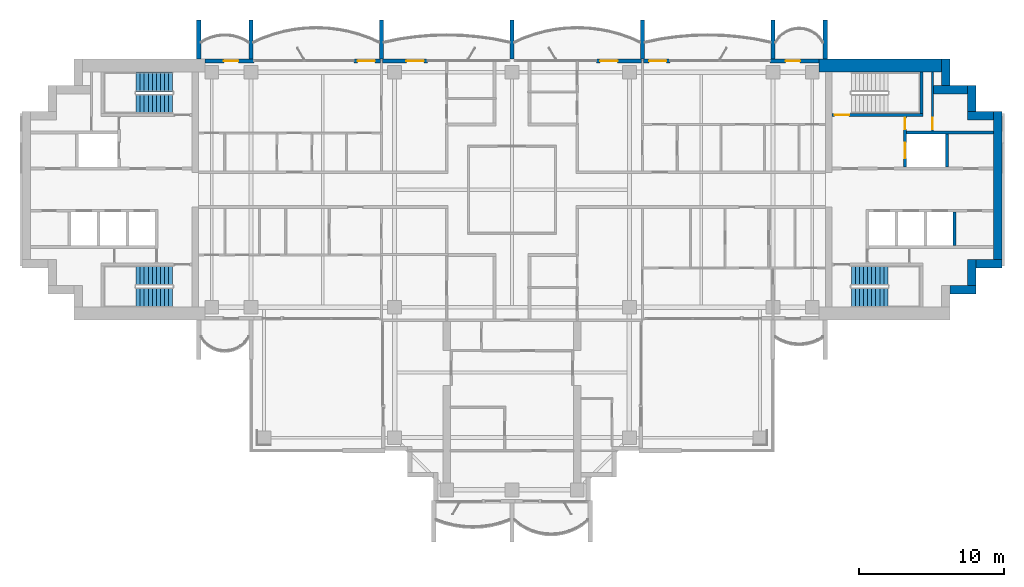
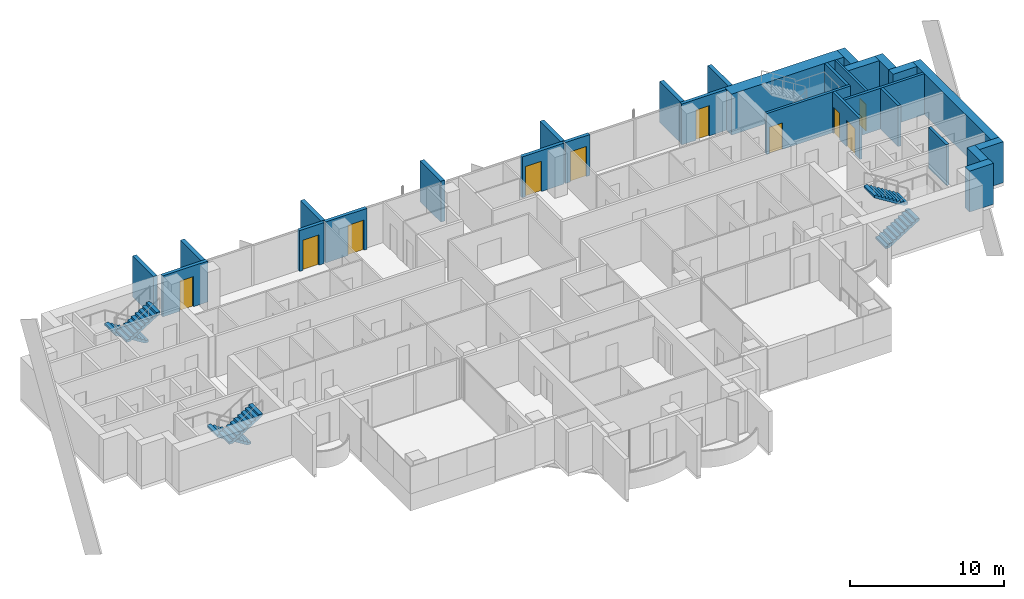
# One storey, part 13 of 18: 29 walls, 10 doors, 6 stair flights, 10 openings, 3 elements without a shape of their own.
"""IFC4 building model written with IfcOpenShell, lengths in metres."""

from ifc_helpers import new_model, si_unit, direction, frame, frame_2d, origin, place, context, subcontext, project, spatial, polyline, rectangle, outline, extrude, material, layer, layer_set, type_object, element, fill, aggregate, save


model = new_model("IFC4")

# Units and contexts
model_context = context("Model", 3, precision=1e-05, world=origin(), true_north=direction((0.0, 1.0)))
body_context = subcontext(model_context, "Body", "Model", "MODEL_VIEW")
ifc_project = project(units=[si_unit("LENGTHUNIT", "METRE"), si_unit("AREAUNIT", "SQUARE_METRE"), si_unit("VOLUMEUNIT", "CUBIC_METRE"), si_unit("PLANEANGLEUNIT", "RADIAN"), si_unit("MASSUNIT", "GRAM", prefix="KILO")], contexts=[model_context])

# Site, building, storey
site_placement = place(None, origin())
site = spatial("IfcSite", under=ifc_project, at=site_placement, CompositionType="ELEMENT")
building_placement = place(site_placement, origin())
building = spatial("IfcBuilding", under=site, at=building_placement, Name="Perihelion Cross Residences", CompositionType="ELEMENT")
storey_placement = place(building_placement, frame((0.0, 0.0, 215.60009765625)))
storey = spatial("IfcBuildingStorey", under=building, at=storey_placement, Name="L54", CompositionType="ELEMENT", Elevation=215.60009765625)

# Wall, opening, door
ifc_material_1 = material(Name="Concrete C30/37, bronze-clad", Category="concrete")
ifc_layer_1 = layer(ifc_material_1, 0.25)
ifc_layer_set_1 = layer_set([ifc_layer_1], Name="Bronze-clad pier wall 250")
wall_type_1 = type_object("IfcWallType", Name="Bronze-clad pier wall 250", PredefinedType="SOLIDWALL", material=ifc_layer_set_1)
wall_1_placement = place(storey_placement, frame((21.175048828125, 8.875, 0.0), z_axis=(0.0, 0.0, 1.0), x_axis=(-1.0, 0.0, 0.0)))
wall_1 = element("IfcWall", 1, at=wall_1_placement, inside=storey, type_object=wall_type_1, Name="Wall FW1 L54 east side north bay 1 pier", PredefinedType="SOLIDWALL", context=body_context, shape_type="SweptSolid", body=[
    extrude(rectangle(XDim=3.375, YDim=0.25, at=frame_2d((1.6875, 0.0))), origin(), (0.0, 0.0, 1.0), 3.25),
])
opening_1_placement = place(wall_1_placement, frame((1.300048828125, 0.0, 0.0)))
opening_1 = element("IfcOpeningElement", 2, at=opening_1_placement, cuts=wall_1, Name="Opening L54.E01", PredefinedType="OPENING", context=body_context, shape_type="SweptSolid", body=[
    extrude(rectangle(XDim=1.0, YDim=2.39990234375, at=frame_2d((0.5, 1.199951171875))), frame((0.0, 0.135009765625, 0.0), z_axis=(0.0, -1.0, 0.0), x_axis=(1.0, 0.0, 0.0)), (0.0, 0.0, 1.0), 0.27001953125),
])
ifc_material_2 = material(Name="Bronze anodised aluminium, glazed", Category="aluminium")
door_type_1 = type_object("IfcDoorType", Name="Balcony door 1000 x 2400", OperationType="NOTDEFINED", PredefinedType="DOOR", material=ifc_material_2)
door_1_placement = place(opening_1_placement, origin())
door_1 = element("IfcDoor", 3, at=door_1_placement, inside=storey, type_object=door_type_1, Name="Door L54.E01 east side north bay 1", OperationType="SINGLE_SWING_LEFT", OverallHeight=2.39990234375, OverallWidth=1.0, PredefinedType="DOOR", context=body_context, shape_type="SweptSolid", body=[
    extrude(rectangle(XDim=1.0, YDim=2.39990234375, at=frame_2d((0.5, 1.199951171875))), frame((0.0, 0.02490234375, 0.0), z_axis=(0.0, -1.0, 0.0), x_axis=(1.0, 0.0, 0.0)), (0.0, 0.0, 1.0), 0.050048828125),
])
fill(opening_1, door_1)

wall_2_placement = place(storey_placement, frame((10.89990234375, 8.875, 0.0), z_axis=(0.0, 0.0, 1.0), x_axis=(-1.0, 0.0, 0.0)))
wall_2 = element("IfcWall", 4, at=wall_2_placement, inside=storey, type_object=wall_type_1, Name="Wall FW1 L54 east side north bay 2 pier", PredefinedType="SOLIDWALL", context=body_context, shape_type="SweptSolid", body=[
    extrude(rectangle(XDim=1.83984375, YDim=0.25, at=frame_2d((0.919921875, 0.0))), origin(), (0.0, 0.0, 1.0), 3.25),
])
opening_2_placement = place(wall_2_placement, frame((0.25, 0.0, 0.0)))
opening_2 = element("IfcOpeningElement", 5, at=opening_2_placement, cuts=wall_2, Name="Opening L54.E02", PredefinedType="OPENING", context=body_context, shape_type="SweptSolid", body=[
    extrude(rectangle(XDim=1.199951171875, YDim=2.39990234375, at=frame_2d((0.60009765625, 1.199951171875))), frame((0.0, 0.135009765625, 0.0), z_axis=(0.0, -1.0, 0.0), x_axis=(1.0, 0.0, 0.0)), (0.0, 0.0, 1.0), 0.27001953125),
])
ifc_material_3 = material(Name="Bronze anodised aluminium, glazed", Category="aluminium")
door_type_2 = type_object("IfcDoorType", Name="Balcony door 1200 x 2400", OperationType="NOTDEFINED", PredefinedType="DOOR", material=ifc_material_3)
door_2_placement = place(opening_2_placement, origin())
door_2 = element("IfcDoor", 6, at=door_2_placement, inside=storey, type_object=door_type_2, Name="Door L54.E02 east side north bay 2", OperationType="SINGLE_SWING_RIGHT", OverallHeight=2.39990234375, OverallWidth=1.199951171875, PredefinedType="DOOR", context=body_context, shape_type="SweptSolid", body=[
    extrude(rectangle(XDim=1.199951171875, YDim=2.39990234375, at=frame_2d((0.60009765625, 1.199951171875))), frame((0.0, 0.02490234375, 0.0), z_axis=(0.0, -1.0, 0.0), x_axis=(1.0, 0.0, 0.0)), (0.0, 0.0, 1.0), 0.050048828125),
])
fill(opening_2, door_2)

wall_3_placement = place(storey_placement, frame((8.93994140625, 8.875, 0.0), z_axis=(0.0, 0.0, 1.0), x_axis=(-1.0, 0.0, 0.0)))
wall_3 = element("IfcWall", 7, at=wall_3_placement, inside=storey, type_object=wall_type_1, Name="Wall FW1 L54 north side east bay 1 pier", PredefinedType="SOLIDWALL", context=body_context, shape_type="SweptSolid", body=[
    extrude(rectangle(XDim=3.114990234375, YDim=0.25, at=frame_2d((1.5576171875, 0.0))), origin(), (0.0, 0.0, 1.0), 3.25),
])
opening_3_placement = place(wall_3_placement, frame((1.6650390625, 0.0, 0.0)))
opening_3 = element("IfcOpeningElement", 8, at=opening_3_placement, cuts=wall_3, Name="Opening L54.E03", PredefinedType="OPENING", context=body_context, shape_type="SweptSolid", body=[
    extrude(rectangle(XDim=1.199951171875, YDim=2.39990234375, at=frame_2d((0.60009765625, 1.199951171875))), frame((0.0, 0.135009765625, 0.0), z_axis=(0.0, -1.0, 0.0), x_axis=(1.0, 0.0, 0.0)), (0.0, 0.0, 1.0), 0.27001953125),
])
door_3_placement = place(opening_3_placement, origin())
door_3 = element("IfcDoor", 9, at=door_3_placement, inside=storey, type_object=door_type_2, Name="Door L54.E03 north side east bay 1", OperationType="SINGLE_SWING_LEFT", OverallHeight=2.39990234375, OverallWidth=1.199951171875, PredefinedType="DOOR", context=body_context, shape_type="SweptSolid", body=[
    extrude(rectangle(XDim=1.199951171875, YDim=2.39990234375, at=frame_2d((0.60009765625, 1.199951171875))), frame((0.0, 0.02490234375, 0.0), z_axis=(0.0, -1.0, 0.0), x_axis=(1.0, 0.0, 0.0)), (0.0, 0.0, 1.0), 0.050048828125),
])
fill(opening_3, door_3)

wall_4_placement = place(storey_placement, frame((-5.824951171875, 8.875, 0.0), z_axis=(0.0, 0.0, 1.0), x_axis=(-1.0, 0.0, 0.0)))
wall_4 = element("IfcWall", 10, at=wall_4_placement, inside=storey, type_object=wall_type_1, Name="Wall FW1 L54 north side east bay 2 pier", PredefinedType="SOLIDWALL", context=body_context, shape_type="SweptSolid", body=[
    extrude(rectangle(XDim=3.114990234375, YDim=0.25, at=frame_2d((1.5576171875, 0.0))), origin(), (0.0, 0.0, 1.0), 3.25),
])
opening_4_placement = place(wall_4_placement, frame((0.25, 0.0, 0.0)))
opening_4 = element("IfcOpeningElement", 11, at=opening_4_placement, cuts=wall_4, Name="Opening L54.E04", PredefinedType="OPENING", context=body_context, shape_type="SweptSolid", body=[
    extrude(rectangle(XDim=1.199951171875, YDim=2.39990234375, at=frame_2d((0.60009765625, 1.199951171875))), frame((0.0, 0.135009765625, 0.0), z_axis=(0.0, -1.0, 0.0), x_axis=(1.0, 0.0, 0.0)), (0.0, 0.0, 1.0), 0.27001953125),
])
door_4_placement = place(opening_4_placement, origin())
door_4 = element("IfcDoor", 12, at=door_4_placement, inside=storey, type_object=door_type_2, Name="Door L54.E04 north side east bay 2", OperationType="SINGLE_SWING_RIGHT", OverallHeight=2.39990234375, OverallWidth=1.199951171875, PredefinedType="DOOR", context=body_context, shape_type="SweptSolid", body=[
    extrude(rectangle(XDim=1.199951171875, YDim=2.39990234375, at=frame_2d((0.60009765625, 1.199951171875))), frame((0.0, 0.02490234375, 0.0), z_axis=(0.0, -1.0, 0.0), x_axis=(1.0, 0.0, 0.0)), (0.0, 0.0, 1.0), 0.050048828125),
])
fill(opening_4, door_4)

wall_5_placement = place(storey_placement, frame((-9.06005859375, 8.875, 0.0), z_axis=(0.0, 0.0, 1.0), x_axis=(-1.0, 0.0, 0.0)))
wall_5 = element("IfcWall", 13, at=wall_5_placement, inside=storey, type_object=wall_type_1, Name="Wall FW1 L54 west side north bay 1 pier", PredefinedType="SOLIDWALL", context=body_context, shape_type="SweptSolid", body=[
    extrude(rectangle(XDim=1.83984375, YDim=0.25, at=frame_2d((0.919921875, 0.0))), origin(), (0.0, 0.0, 1.0), 3.25),
])
opening_5_placement = place(wall_5_placement, frame((0.389892578125, 0.0, 0.0)))
opening_5 = element("IfcOpeningElement", 14, at=opening_5_placement, cuts=wall_5, Name="Opening L54.E05", PredefinedType="OPENING", context=body_context, shape_type="SweptSolid", body=[
    extrude(rectangle(XDim=1.199951171875, YDim=2.39990234375, at=frame_2d((0.60009765625, 1.199951171875))), frame((0.0, 0.135009765625, 0.0), z_axis=(0.0, -1.0, 0.0), x_axis=(1.0, 0.0, 0.0)), (0.0, 0.0, 1.0), 0.27001953125),
])
door_5_placement = place(opening_5_placement, origin())
door_5 = element("IfcDoor", 15, at=door_5_placement, inside=storey, type_object=door_type_2, Name="Door L54.E05 west side north bay 1", OperationType="SINGLE_SWING_LEFT", OverallHeight=2.39990234375, OverallWidth=1.199951171875, PredefinedType="DOOR", context=body_context, shape_type="SweptSolid", body=[
    extrude(rectangle(XDim=1.199951171875, YDim=2.39990234375, at=frame_2d((0.60009765625, 1.199951171875))), frame((0.0, 0.02490234375, 0.0), z_axis=(0.0, -1.0, 0.0), x_axis=(1.0, 0.0, 0.0)), (0.0, 0.0, 1.0), 0.050048828125),
])
fill(opening_5, door_5)

wall_6_placement = place(storey_placement, frame((-17.800048828125, 8.875, 0.0), z_axis=(0.0, 0.0, 1.0), x_axis=(-1.0, 0.0, 0.0)))
wall_6 = element("IfcWall", 16, at=wall_6_placement, inside=storey, type_object=wall_type_1, Name="Wall FW1 L54 west side north bay 2 pier", PredefinedType="SOLIDWALL", context=body_context, shape_type="SweptSolid", body=[
    extrude(rectangle(XDim=3.375, YDim=0.25, at=frame_2d((1.6875, 0.0))), origin(), (0.0, 0.0, 1.0), 3.25),
])
opening_6_placement = place(wall_6_placement, frame((1.074951171875, 0.0, 0.0)))
opening_6 = element("IfcOpeningElement", 17, at=opening_6_placement, cuts=wall_6, Name="Opening L54.E06", PredefinedType="OPENING", context=body_context, shape_type="SweptSolid", body=[
    extrude(rectangle(XDim=1.0, YDim=2.39990234375, at=frame_2d((0.5, 1.199951171875))), frame((0.0, 0.135009765625, 0.0), z_axis=(0.0, -1.0, 0.0), x_axis=(1.0, 0.0, 0.0)), (0.0, 0.0, 1.0), 0.27001953125),
])
door_6_placement = place(opening_6_placement, origin())
door_6 = element("IfcDoor", 18, at=door_6_placement, inside=storey, type_object=door_type_1, Name="Door L54.E06 west side north bay 2", OperationType="SINGLE_SWING_RIGHT", OverallHeight=2.39990234375, OverallWidth=1.0, PredefinedType="DOOR", context=body_context, shape_type="SweptSolid", body=[
    extrude(rectangle(XDim=1.0, YDim=2.39990234375, at=frame_2d((0.5, 1.199951171875))), frame((0.0, 0.02490234375, 0.0), z_axis=(0.0, -1.0, 0.0), x_axis=(1.0, 0.0, 0.0)), (0.0, 0.0, 1.0), 0.050048828125),
])
fill(opening_6, door_6)

# Walls
ifc_material_4 = material(Name="Concrete C60/75", Category="concrete")
ifc_layer_2 = layer(ifc_material_4, 0.60009765625)
ifc_layer_set_2 = layer_set([ifc_layer_2], Name="Core wall, outer 600")
wall_type_2 = type_object("IfcWallType", Name="Core wall, outer 600", PredefinedType="SHEAR", material=ifc_layer_set_2)
for number, where, z_axis, x_axis, name in (
    (19, (30.199951171875, -6.89990234375, 0.0), (0.0, 0.0, 1.0), (1.0, 0.0, 0.0), "East core core wall, outer"),
    (20, (31.699951171875, -6.60009765625, 0.0), (0.0, 0.0, 1.0), (0.0, 1.0, 0.0), "East core core wall, outer"),
    (21, (32.0, -5.10009765625, 0.0), (0.0, 0.0, 1.0), (1.0, 0.0, 0.0), "East core core wall, outer"),
):
    element("IfcWall", number, at=place(storey_placement, frame(where, z_axis=z_axis, x_axis=x_axis)), inside=storey, type_object=wall_type_2, Name=name, PredefinedType="SHEAR", context=body_context, shape_type="SweptSolid", body=[
        extrude(rectangle(XDim=1.800048828125, YDim=0.60009765625, at=frame_2d((0.89990234375, 0.0))), origin(), (0.0, 0.0, 1.0), 3.25),
    ])
wall_7_placement = place(storey_placement, frame((33.5, -4.800048828125, 0.0), z_axis=(0.0, 0.0, 1.0), x_axis=(0.0, 1.0, 0.0)))
element("IfcWall", 22, at=wall_7_placement, inside=storey, type_object=wall_type_2, Name="East core core wall, outer", PredefinedType="SHEAR", context=body_context, shape_type="SweptSolid", body=[
    extrude(rectangle(XDim=10.199951171875, YDim=0.60009765625, at=frame_2d((5.10009765625, 0.0))), origin(), (0.0, 0.0, 1.0), 3.25),
])
for number, where, z_axis, x_axis, name in (
    (23, (31.39990234375, 5.10009765625, 0.0), (0.0, 0.0, 1.0), (1.0, 0.0, 0.0), "East core core wall, outer"),
    (24, (31.699951171875, 5.39990234375, 0.0), (0.0, 0.0, 1.0), (0.0, 1.0, 0.0), "East core core wall, outer"),
):
    element("IfcWall", number, at=place(storey_placement, frame(where, z_axis=z_axis, x_axis=x_axis)), inside=storey, type_object=wall_type_2, Name=name, PredefinedType="SHEAR", context=body_context, shape_type="SweptSolid", body=[
        extrude(rectangle(XDim=1.800048828125, YDim=0.60009765625, at=frame_2d((0.89990234375, 0.0))), origin(), (0.0, 0.0, 1.0), 3.25),
    ])
wall_8_placement = place(storey_placement, frame((29.074951171875, 6.89990234375, 0.0), z_axis=(0.0, 0.0, 1.0), x_axis=(1.0, 0.0, 0.0)))
element("IfcWall", 25, at=wall_8_placement, inside=storey, type_object=wall_type_2, Name="East core core wall, outer", PredefinedType="SHEAR", context=body_context, shape_type="SweptSolid", body=[
    extrude(rectangle(XDim=2.324951171875, YDim=0.60009765625, at=frame_2d((1.16259765625, 0.0))), origin(), (0.0, 0.0, 1.0), 3.25),
])
wall_9_placement = place(storey_placement, frame((29.89990234375, 7.199951171875, 0.0), z_axis=(0.0, 0.0, 1.0), x_axis=(0.0, 1.0, 0.0)))
element("IfcWall", 26, at=wall_9_placement, inside=storey, type_object=wall_type_2, Name="East core core wall, outer", PredefinedType="SHEAR", context=body_context, shape_type="SweptSolid", body=[
    extrude(rectangle(XDim=1.800048828125, YDim=0.60009765625, at=frame_2d((0.89990234375, 0.0))), origin(), (0.0, 0.0, 1.0), 3.25),
])
ifc_material_5 = material(Name="Concrete C60/75", Category="concrete")
ifc_layer_3 = layer(ifc_material_5, 0.89990234375)
ifc_layer_set_3 = layer_set([ifc_layer_3], Name="Core wall, outer 900")
wall_type_3 = type_object("IfcWallType", Name="Core wall, outer 900", PredefinedType="SHEAR", material=ifc_layer_set_3)
wall_10_placement = place(storey_placement, frame((21.175048828125, 8.550048828125, 0.0), z_axis=(0.0, 0.0, 1.0), x_axis=(1.0, 0.0, 0.0)))
element("IfcWall", 27, at=wall_10_placement, inside=storey, type_object=wall_type_3, Name="East core core wall, outer", PredefinedType="SHEAR", context=body_context, shape_type="SweptSolid", body=[
    extrude(rectangle(XDim=8.425048828125, YDim=0.89990234375, at=frame_2d((4.21240234375, 0.0))), origin(), (0.0, 0.0, 1.0), 3.25),
])
ifc_material_6 = material(Name="Precast concrete C50/60", Category="concrete")
ifc_layer_4 = layer(ifc_material_6, 0.300048828125)
ifc_layer_set_4 = layer_set([ifc_layer_4], Name="Precast concrete C50/60 blade wall 300")
wall_type_4 = type_object("IfcWallType", Name="Precast concrete C50/60 blade wall 300", PredefinedType="SOLIDWALL", material=ifc_layer_set_4)
for number, where, z_axis, x_axis, name in (
    (28, (-21.60009765625, 9.0, 0.0), (0.0, 0.0, 1.0), (0.0, 1.0, 0.0), "Wall BL1 L54 no. 4"),
    (29, (-18.0, 9.0, 0.0), (0.0, 0.0, 1.0), (0.0, 1.0, 0.0), "Wall BL1 L54 no. 2"),
    (30, (-9.0, 9.0, 0.0), (0.0, 0.0, 1.0), (0.0, 1.0, 0.0), "Wall BL1 L54 no. 7"),
    (31, (0.0, 9.0, 0.0), (0.0, 0.0, 1.0), (0.0, 1.0, 0.0), "Wall BL1 L54 no. 9"),
    (32, (9.0, 9.0, 0.0), (0.0, 0.0, 1.0), (0.0, 1.0, 0.0), "Wall BL1 L54 no. 16"),
    (33, (18.0, 9.0, 0.0), (0.0, 0.0, 1.0), (0.0, 1.0, 0.0), "Wall BL1 L54 no. 11"),
    (34, (21.60009765625, 9.0, 0.0), (0.0, 0.0, 1.0), (0.0, 1.0, 0.0), "Wall BL1 L54 no. 13"),
):
    element("IfcWall", number, at=place(storey_placement, frame(where, z_axis=z_axis, x_axis=x_axis)), inside=storey, type_object=wall_type_4, Name=name, PredefinedType="SOLIDWALL", context=body_context, shape_type="SweptSolid", body=[
        extrude(rectangle(XDim=2.699951171875, YDim=0.300048828125, at=frame_2d((1.35009765625, 0.0))), origin(), (0.0, 0.0, 1.0), 3.25),
    ])

# Wall, opening, door
ifc_material_7 = material(Name="Fire-rated board on steel stud", Category="steel")
ifc_layer_5 = layer(ifc_material_7, 0.14990234375)
ifc_layer_set_5 = layer_set([ifc_layer_5], Name="Riser wall 150")
wall_type_5 = type_object("IfcWallType", Name="Riser wall 150", PredefinedType="PARTITIONING", material=ifc_layer_set_5)
wall_11_placement = place(storey_placement, frame((29.0, 4.050048828125, 0.0), z_axis=(0.0, 0.0, 1.0), x_axis=(0.0, 1.0, 0.0)))
wall_11 = element("IfcWall", 35, at=wall_11_placement, inside=storey, type_object=wall_type_5, Name="East core riser wall", PredefinedType="PARTITIONING", context=body_context, shape_type="SweptSolid", body=[
    extrude(rectangle(XDim=4.050048828125, YDim=0.14990234375, at=frame_2d((2.02490234375, 0.0))), origin(), (0.0, 0.0, 1.0), 3.25),
])
opening_7_placement = place(wall_11_placement, frame((0.10009765625, 0.0, 0.0)))
opening_7 = element("IfcOpeningElement", 36, at=opening_7_placement, cuts=wall_11, Name="Opening L54.C12", PredefinedType="OPENING", context=body_context, shape_type="SweptSolid", body=[
    extrude(rectangle(XDim=0.800048828125, YDim=2.10009765625, at=frame_2d((0.39990234375, 1.050048828125))), frame((0.0, 0.0849609375, 0.0), z_axis=(0.0, -1.0, 0.0), x_axis=(1.0, 0.0, 0.0)), (0.0, 0.0, 1.0), 0.169921875),
])
ifc_material_8 = material(Name="Steel, powder coated", Category="steel")
door_type_3 = type_object("IfcDoorType", Name="Riser door 800", OperationType="SINGLE_SWING_LEFT", PredefinedType="DOOR", material=ifc_material_8)
door_7_placement = place(opening_7_placement, origin())
door_7 = element("IfcDoor", 37, at=door_7_placement, inside=storey, type_object=door_type_3, Name="East core riser door", OperationType="SINGLE_SWING_LEFT", OverallHeight=2.10009765625, OverallWidth=0.800048828125, PredefinedType="DOOR", context=body_context, shape_type="SweptSolid", body=[
    extrude(rectangle(XDim=0.800048828125, YDim=2.10009765625, at=frame_2d((0.39990234375, 1.050048828125))), frame((0.0, 0.02490234375, 0.0), z_axis=(0.0, -1.0, 0.0), x_axis=(1.0, 0.0, 0.0)), (0.0, 0.0, 1.0), 0.050048828125),
])
fill(opening_7, door_7)

# Wall
ifc_material_9 = material(Name="Concrete C50/60", Category="concrete")
ifc_layer_6 = layer(ifc_material_9, 0.199951171875)
ifc_layer_set_6 = layer_set([ifc_layer_6], Name="Shaft wall 200")
wall_type_6 = type_object("IfcWallType", Name="Shaft wall 200", PredefinedType="SOLIDWALL", material=ifc_layer_set_6)
wall_12_placement = place(storey_placement, frame((27.199951171875, 3.949951171875, 0.0), z_axis=(0.0, 0.0, 1.0), x_axis=(1.0, 0.0, 0.0)))
element("IfcWall", 38, at=wall_12_placement, inside=storey, type_object=wall_type_6, Name="East core shaft wall", PredefinedType="SOLIDWALL", context=body_context, shape_type="SweptSolid", body=[
    extrude(rectangle(XDim=6.0, YDim=0.199951171875, at=frame_2d((3.0, 0.0))), origin(), (0.0, 0.0, 1.0), 3.25),
])

# Wall, openings, doors
wall_13_placement = place(storey_placement, frame((27.10009765625, 1.550048828125, 0.0), z_axis=(0.0, 0.0, 1.0), x_axis=(0.0, 1.0, 0.0)))
wall_13 = element("IfcWall", 39, at=wall_13_placement, inside=storey, type_object=wall_type_6, Name="East core shaft wall", PredefinedType="SOLIDWALL", context=body_context, shape_type="SweptSolid", body=[
    extrude(rectangle(XDim=3.5, YDim=0.199951171875, at=frame_2d((1.75, 0.0))), origin(), (0.0, 0.0, 1.0), 3.25),
])
opening_8_placement = place(wall_13_placement, frame((0.60009765625, 0.0, 0.0)))
opening_8 = element("IfcOpeningElement", 40, at=opening_8_placement, cuts=wall_13, Name="Opening L54.C02", PredefinedType="OPENING", context=body_context, shape_type="SweptSolid", body=[
    extrude(rectangle(XDim=1.10009765625, YDim=2.10009765625, at=frame_2d((0.550048828125, 1.050048828125))), frame((0.0, 0.10986328125, 0.0), z_axis=(0.0, -1.0, 0.0), x_axis=(1.0, 0.0, 0.0)), (0.0, 0.0, 1.0), 0.219970703125),
])
opening_9_placement = place(wall_13_placement, frame((2.60009765625, 0.0, 0.0)))
opening_9 = element("IfcOpeningElement", 41, at=opening_9_placement, cuts=wall_13, Name="Opening L54.C10", PredefinedType="OPENING", context=body_context, shape_type="SweptSolid", body=[
    extrude(rectangle(XDim=0.800048828125, YDim=2.10009765625, at=frame_2d((0.39990234375, 1.050048828125))), frame((0.0, 0.10986328125, 0.0), z_axis=(0.0, -1.0, 0.0), x_axis=(1.0, 0.0, 0.0)), (0.0, 0.0, 1.0), 0.219970703125),
])
ifc_material_10 = material(Name="Stainless steel", Category="steel")
door_type_4 = type_object("IfcDoorType", Name="Landing door, firefighting lift 1100", OperationType="DOUBLE_DOOR_SLIDING", PredefinedType="DOOR", material=ifc_material_10)
door_8_placement = place(opening_8_placement, origin())
door_8 = element("IfcDoor", 42, at=door_8_placement, inside=storey, type_object=door_type_4, Name="Landing door, East core firefighting and service lift", OperationType="DOUBLE_DOOR_SLIDING", OverallHeight=2.10009765625, OverallWidth=1.10009765625, PredefinedType="DOOR", context=body_context, shape_type="SweptSolid", body=[
    extrude(rectangle(XDim=1.10009765625, YDim=2.10009765625, at=frame_2d((0.550048828125, 1.050048828125))), frame((0.0, 0.02490234375, 0.0), z_axis=(0.0, -1.0, 0.0), x_axis=(1.0, 0.0, 0.0)), (0.0, 0.0, 1.0), 0.050048828125),
])
fill(opening_8, door_8)
door_9_placement = place(opening_9_placement, origin())
door_9 = element("IfcDoor", 43, at=door_9_placement, inside=storey, type_object=door_type_3, Name="East core riser door", OperationType="SINGLE_SWING_LEFT", OverallHeight=2.10009765625, OverallWidth=0.800048828125, PredefinedType="DOOR", context=body_context, shape_type="SweptSolid", body=[
    extrude(rectangle(XDim=0.800048828125, YDim=2.10009765625, at=frame_2d((0.39990234375, 1.050048828125))), frame((0.0, 0.02490234375, 0.0), z_axis=(0.0, -1.0, 0.0), x_axis=(1.0, 0.0, 0.0)), (0.0, 0.0, 1.0), 0.050048828125),
])
fill(opening_9, door_9)

# Walls
for number, where, z_axis, x_axis, name in (
    (44, (30.0, 1.550048828125, 0.0), (0.0, 0.0, 1.0), (0.0, 1.0, 0.0), "East core shaft wall"),
    (45, (30.5, -3.85009765625, 0.0), (0.0, 0.0, 1.0), (0.0, 1.0, 0.0), "East core shaft wall"),
):
    element("IfcWall", number, at=place(storey_placement, frame(where, z_axis=z_axis, x_axis=x_axis)), inside=storey, type_object=wall_type_6, Name=name, PredefinedType="SOLIDWALL", context=body_context, shape_type="SweptSolid", body=[
        extrude(rectangle(XDim=2.300048828125, YDim=0.199951171875, at=frame_2d((1.14990234375, 0.0))), origin(), (0.0, 0.0, 1.0), 3.25),
    ])

# Wall, opening, door
ifc_material_11 = material(Name="Concrete C50/60", Category="concrete")
ifc_layer_7 = layer(ifc_material_11, 0.199951171875)
ifc_layer_set_7 = layer_set([ifc_layer_7], Name="Stair wall 200")
wall_type_7 = type_object("IfcWallType", Name="Stair wall 200", PredefinedType="SOLIDWALL", material=ifc_layer_set_7)
wall_14_placement = place(storey_placement, frame((22.050048828125, 5.14990234375, 0.0), z_axis=(0.0, 0.0, 1.0), x_axis=(1.0, 0.0, 0.0)))
wall_14 = element("IfcWall", 46, at=wall_14_placement, inside=storey, type_object=wall_type_7, Name="East core stair wall", PredefinedType="SOLIDWALL", context=body_context, shape_type="SweptSolid", body=[
    extrude(rectangle(XDim=6.300048828125, YDim=0.199951171875, at=frame_2d((3.14990234375, 0.0))), origin(), (0.0, 0.0, 1.0), 3.25),
])
opening_10_placement = place(wall_14_placement, frame((0.199951171875, 0.0, 0.0)))
opening_10 = element("IfcOpeningElement", 47, at=opening_10_placement, cuts=wall_14, Name="Opening L54.C06", PredefinedType="OPENING", context=body_context, shape_type="SweptSolid", body=[
    extrude(rectangle(XDim=1.0, YDim=2.10009765625, at=frame_2d((0.5, 1.050048828125))), frame((0.0, 0.10986328125, 0.0), z_axis=(0.0, -1.0, 0.0), x_axis=(1.0, 0.0, 0.0)), (0.0, 0.0, 1.0), 0.219970703125),
])
ifc_material_12 = material(Name="Steel, powder coated", Category="steel")
door_type_5 = type_object("IfcDoorType", Name="Stair door 1000", OperationType="SINGLE_SWING_LEFT", PredefinedType="DOOR", material=ifc_material_12)
door_10_placement = place(opening_10_placement, origin())
door_10 = element("IfcDoor", 48, at=door_10_placement, inside=storey, type_object=door_type_5, Name="East core stair door", OperationType="SINGLE_SWING_LEFT", OverallHeight=2.10009765625, OverallWidth=1.0, PredefinedType="DOOR", context=body_context, shape_type="SweptSolid", body=[
    extrude(rectangle(XDim=1.0, YDim=2.10009765625, at=frame_2d((0.5, 1.050048828125))), frame((0.0, 0.02490234375, 0.0), z_axis=(0.0, -1.0, 0.0), x_axis=(1.0, 0.0, 0.0)), (0.0, 0.0, 1.0), 0.050048828125),
])
fill(opening_10, door_10)

# Wall
wall_15_placement = place(storey_placement, frame((28.25, 5.25, 0.0), z_axis=(0.0, 0.0, 1.0), x_axis=(0.0, 1.0, 0.0)))
element("IfcWall", 49, at=wall_15_placement, inside=storey, type_object=wall_type_7, Name="East core stair wall", PredefinedType="SOLIDWALL", context=body_context, shape_type="SweptSolid", body=[
    extrude(rectangle(XDim=2.85009765625, YDim=0.199951171875, at=frame_2d((1.425048828125, 0.0))), origin(), (0.0, 0.0, 1.0), 3.25),
])

# Stair, stair flights
ifc_material_13 = material(Name="Concrete C40/50", Category="concrete")
stair_type = type_object("IfcStairType", Name="Exit stair, half-turn", PredefinedType="HALF_TURN_STAIR", material=ifc_material_13)
stair_1_placement = place(storey_placement, origin())
stair_1 = element("IfcStair", 50, at=stair_1_placement, inside=storey, type_object=stair_type, Name="L54 East core exit stair 2", PredefinedType="HALF_TURN_STAIR")
ifc_material_14 = material(Name="Concrete C40/50", Category="concrete")
stair_flight_type = type_object("IfcStairFlightType", Name="Exit stair flight", PredefinedType="STRAIGHT", material=ifc_material_14)
stair_flight_1_placement = place(storey_placement, frame((23.39990234375, -7.425048828125, 0.0), z_axis=(0.0, 0.0, 1.0), x_axis=(1.0, 0.0, 0.0)))
stair_flight_1 = element("IfcStairFlight", 51, at=stair_flight_1_placement, type_object=stair_flight_type, Name="ST-E2 flight 1", NumberOfRisers=10, NumberOfTreads=9, PredefinedType="STRAIGHT", RiserHeight=0.175, TreadLength=0.28, context=body_context, shape_type="SweptSolid", body=[
    extrude(outline(polyline([(0.0, 0.0), (0.0, 0.175048828125), (0.280029296875, 0.175048828125), (0.280029296875, 0.35009765625), (0.56005859375, 0.35009765625), (0.56005859375, 0.52490234375), (0.840087890625, 0.52490234375), (0.840087890625, 0.699951171875), (1.1201171875, 0.699951171875), (1.1201171875, 0.875), (1.39990234375, 0.875), (1.39990234375, 1.050048828125), (1.679931640625, 1.050048828125), (1.679931640625, 1.22509765625), (1.9599609375, 1.22509765625), (1.9599609375, 1.39990234375), (2.239990234375, 1.39990234375), (2.239990234375, 1.574951171875), (2.52001953125, 1.574951171875), (2.52001953125, 1.75), (2.52001953125, 1.398193359375), (0.28271484375, 0.0), (0.0, 0.0)])), frame((0.0, 0.675048828125, 0.0), z_axis=(0.0, -1.0, 0.0), x_axis=(1.0, 0.0, 0.0)), (0.0, 0.0, 1.0), 1.35009765625),
])
stair_flight_2_placement = place(storey_placement, frame((25.919921875, -5.925048828125, 1.75), z_axis=(0.0, 0.0, 1.0), x_axis=(-1.0, 0.0, 0.0)))
stair_flight_2 = element("IfcStairFlight", 52, at=stair_flight_2_placement, type_object=stair_flight_type, Name="ST-E2 flight 2", NumberOfRisers=10, NumberOfTreads=9, PredefinedType="STRAIGHT", RiserHeight=0.175, TreadLength=0.28, context=body_context, shape_type="SweptSolid", body=[
    extrude(outline(polyline([(0.0, 0.0), (0.0, 0.175048828125), (0.280029296875, 0.175048828125), (0.280029296875, 0.35009765625), (0.56005859375, 0.35009765625), (0.56005859375, 0.52490234375), (0.840087890625, 0.52490234375), (0.840087890625, 0.699951171875), (1.1201171875, 0.699951171875), (1.1201171875, 0.875), (1.39990234375, 0.875), (1.39990234375, 1.050048828125), (1.679931640625, 1.050048828125), (1.679931640625, 1.22509765625), (1.9599609375, 1.22509765625), (1.9599609375, 1.39990234375), (2.239990234375, 1.39990234375), (2.239990234375, 1.574951171875), (2.52001953125, 1.574951171875), (2.52001953125, 1.75), (2.52001953125, 1.398193359375), (0.28271484375, 0.0), (0.0, 0.0)])), frame((0.0, 0.675048828125, 0.0), z_axis=(0.0, -1.0, 0.0), x_axis=(1.0, 0.0, 0.0)), (0.0, 0.0, 1.0), 1.35009765625),
])
aggregate(stair_1, [stair_flight_1, stair_flight_2])

stair_2_placement = place(storey_placement, origin())
stair_2 = element("IfcStair", 53, at=stair_2_placement, inside=storey, type_object=stair_type, Name="L54 West core exit stair 1", PredefinedType="HALF_TURN_STAIR")
stair_flight_3_placement = place(storey_placement, frame((-23.39990234375, 7.425048828125, 0.0), z_axis=(0.0, 0.0, 1.0), x_axis=(-1.0, 0.0, 0.0)))
stair_flight_3 = element("IfcStairFlight", 54, at=stair_flight_3_placement, type_object=stair_flight_type, Name="ST-W1 flight 1", NumberOfRisers=10, NumberOfTreads=9, PredefinedType="STRAIGHT", RiserHeight=0.175, TreadLength=0.28, context=body_context, shape_type="SweptSolid", body=[
    extrude(outline(polyline([(0.0, 0.0), (0.0, 0.175048828125), (0.280029296875, 0.175048828125), (0.280029296875, 0.35009765625), (0.56005859375, 0.35009765625), (0.56005859375, 0.52490234375), (0.840087890625, 0.52490234375), (0.840087890625, 0.699951171875), (1.1201171875, 0.699951171875), (1.1201171875, 0.875), (1.39990234375, 0.875), (1.39990234375, 1.050048828125), (1.679931640625, 1.050048828125), (1.679931640625, 1.22509765625), (1.9599609375, 1.22509765625), (1.9599609375, 1.39990234375), (2.239990234375, 1.39990234375), (2.239990234375, 1.574951171875), (2.52001953125, 1.574951171875), (2.52001953125, 1.75), (2.52001953125, 1.398193359375), (0.28271484375, 0.0), (0.0, 0.0)])), frame((0.0, 0.675048828125, 0.0), z_axis=(0.0, -1.0, 0.0), x_axis=(1.0, 0.0, 0.0)), (0.0, 0.0, 1.0), 1.35009765625),
])
stair_flight_4_placement = place(storey_placement, frame((-25.919921875, 5.925048828125, 1.75), z_axis=(0.0, 0.0, 1.0), x_axis=(1.0, 0.0, 0.0)))
stair_flight_4 = element("IfcStairFlight", 55, at=stair_flight_4_placement, type_object=stair_flight_type, Name="ST-W1 flight 2", NumberOfRisers=10, NumberOfTreads=9, PredefinedType="STRAIGHT", RiserHeight=0.175, TreadLength=0.28, context=body_context, shape_type="SweptSolid", body=[
    extrude(outline(polyline([(0.0, 0.0), (0.0, 0.175048828125), (0.280029296875, 0.175048828125), (0.280029296875, 0.35009765625), (0.56005859375, 0.35009765625), (0.56005859375, 0.52490234375), (0.840087890625, 0.52490234375), (0.840087890625, 0.699951171875), (1.1201171875, 0.699951171875), (1.1201171875, 0.875), (1.39990234375, 0.875), (1.39990234375, 1.050048828125), (1.679931640625, 1.050048828125), (1.679931640625, 1.22509765625), (1.9599609375, 1.22509765625), (1.9599609375, 1.39990234375), (2.239990234375, 1.39990234375), (2.239990234375, 1.574951171875), (2.52001953125, 1.574951171875), (2.52001953125, 1.75), (2.52001953125, 1.398193359375), (0.28271484375, 0.0), (0.0, 0.0)])), frame((0.0, 0.675048828125, 0.0), z_axis=(0.0, -1.0, 0.0), x_axis=(1.0, 0.0, 0.0)), (0.0, 0.0, 1.0), 1.35009765625),
])
aggregate(stair_2, [stair_flight_3, stair_flight_4])

stair_3_placement = place(storey_placement, origin())
stair_3 = element("IfcStair", 56, at=stair_3_placement, inside=storey, type_object=stair_type, Name="L54 West core exit stair 2", PredefinedType="HALF_TURN_STAIR")
stair_flight_5_placement = place(storey_placement, frame((-23.39990234375, -5.925048828125, 0.0), z_axis=(0.0, 0.0, 1.0), x_axis=(-1.0, 0.0, 0.0)))
stair_flight_5 = element("IfcStairFlight", 57, at=stair_flight_5_placement, type_object=stair_flight_type, Name="ST-W2 flight 1", NumberOfRisers=10, NumberOfTreads=9, PredefinedType="STRAIGHT", RiserHeight=0.175, TreadLength=0.28, context=body_context, shape_type="SweptSolid", body=[
    extrude(outline(polyline([(0.0, 0.0), (0.0, 0.175048828125), (0.280029296875, 0.175048828125), (0.280029296875, 0.35009765625), (0.56005859375, 0.35009765625), (0.56005859375, 0.52490234375), (0.840087890625, 0.52490234375), (0.840087890625, 0.699951171875), (1.1201171875, 0.699951171875), (1.1201171875, 0.875), (1.39990234375, 0.875), (1.39990234375, 1.050048828125), (1.679931640625, 1.050048828125), (1.679931640625, 1.22509765625), (1.9599609375, 1.22509765625), (1.9599609375, 1.39990234375), (2.239990234375, 1.39990234375), (2.239990234375, 1.574951171875), (2.52001953125, 1.574951171875), (2.52001953125, 1.75), (2.52001953125, 1.398193359375), (0.28271484375, 0.0), (0.0, 0.0)])), frame((0.0, 0.675048828125, 0.0), z_axis=(0.0, -1.0, 0.0), x_axis=(1.0, 0.0, 0.0)), (0.0, 0.0, 1.0), 1.35009765625),
])
stair_flight_6_placement = place(storey_placement, frame((-25.919921875, -7.425048828125, 1.75), z_axis=(0.0, 0.0, 1.0), x_axis=(1.0, 0.0, 0.0)))
stair_flight_6 = element("IfcStairFlight", 58, at=stair_flight_6_placement, type_object=stair_flight_type, Name="ST-W2 flight 2", NumberOfRisers=10, NumberOfTreads=9, PredefinedType="STRAIGHT", RiserHeight=0.175, TreadLength=0.28, context=body_context, shape_type="SweptSolid", body=[
    extrude(outline(polyline([(0.0, 0.0), (0.0, 0.175048828125), (0.280029296875, 0.175048828125), (0.280029296875, 0.35009765625), (0.56005859375, 0.35009765625), (0.56005859375, 0.52490234375), (0.840087890625, 0.52490234375), (0.840087890625, 0.699951171875), (1.1201171875, 0.699951171875), (1.1201171875, 0.875), (1.39990234375, 0.875), (1.39990234375, 1.050048828125), (1.679931640625, 1.050048828125), (1.679931640625, 1.22509765625), (1.9599609375, 1.22509765625), (1.9599609375, 1.39990234375), (2.239990234375, 1.39990234375), (2.239990234375, 1.574951171875), (2.52001953125, 1.574951171875), (2.52001953125, 1.75), (2.52001953125, 1.398193359375), (0.28271484375, 0.0), (0.0, 0.0)])), frame((0.0, 0.675048828125, 0.0), z_axis=(0.0, -1.0, 0.0), x_axis=(1.0, 0.0, 0.0)), (0.0, 0.0, 1.0), 1.35009765625),
])
aggregate(stair_3, [stair_flight_5, stair_flight_6])

save(model, "model.ifc")
